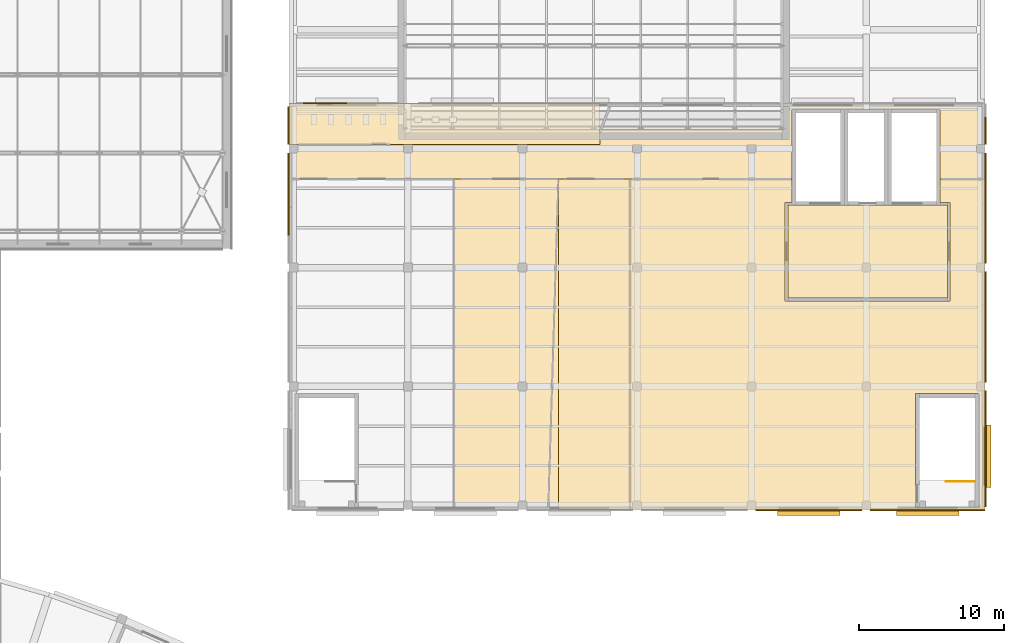
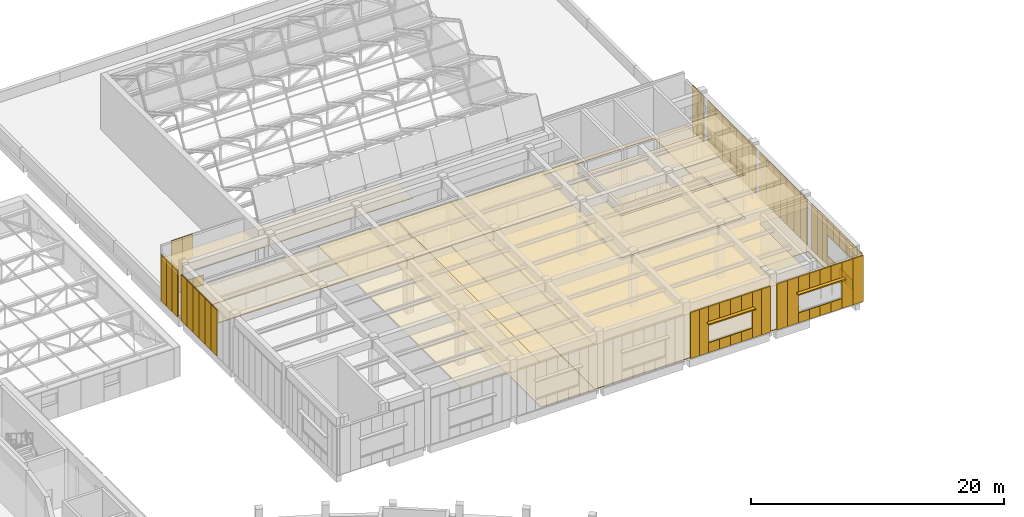
# One storey, part 129 of 132: 76 coverings, 3 shading devices, 1 railing.
"""IFC4 building model written with IfcOpenShell, lengths in metres."""

from ifc_helpers import new_model, si_unit, direction, frame, origin, origin_2d, place, context, subcontext, project, spatial, polyline, rectangle, circle, outline, extrude, material, layer, layer_set, type_object, element, save


model = new_model("IFC4")

# Units and contexts
model_context = context("Model", 3, precision=1e-05, world=origin(), true_north=direction((0.0, 1.0)))
body_context = subcontext(model_context, "Body", "Model", "MODEL_VIEW")
ifc_project = project(units=[si_unit("LENGTHUNIT", "METRE"), si_unit("AREAUNIT", "SQUARE_METRE"), si_unit("VOLUMEUNIT", "CUBIC_METRE"), si_unit("PLANEANGLEUNIT", "RADIAN"), si_unit("MASSUNIT", "GRAM", prefix="KILO")], contexts=[model_context])

# Site, building, storey
site_placement = place(None, origin())
site = spatial("IfcSite", under=ifc_project, at=site_placement, CompositionType="ELEMENT")
building_placement = place(site_placement, origin())
building = spatial("IfcBuilding", under=site, at=building_placement, Name="Lunette Opera House", CompositionType="ELEMENT")
storey_placement = place(building_placement, frame((0.0, 0.0, 17.0)))
storey = spatial("IfcBuildingStorey", under=building, at=storey_placement, Name="L03", CompositionType="ELEMENT", Elevation=17.0)

# Coverings
ifc_material_1 = material(Name="Dark grey aluminium cassette", Category="aluminium")
ifc_layer_1 = layer(ifc_material_1, 0.080078125)
ifc_layer_set_1 = layer_set([ifc_layer_1], Name="Dark grey aluminium cassette")
covering_type_1 = type_object("IfcCoveringType", Name="DARK METAL CASSETTE 80", PredefinedType="CLADDING", material=ifc_layer_set_1)
for number, where, z_axis, x_axis, name in (
    (1, (139.48388671875, 106.0400390625, 0.0), (0.0, 0.0, 1.0), (-1.0, 0.0, 0.0), "Dark Metal Cassette 80 WK L03"),
    (2, (138.48388671875, 106.0400390625, 0.0), (0.0, 0.0, 1.0), (-1.0, 0.0, 0.0), "Dark Metal Cassette 80 WK L03"),
):
    element("IfcCovering", number, at=place(storey_placement, frame(where, z_axis=z_axis, x_axis=x_axis)), inside=storey, type_object=covering_type_1, Name=name, PredefinedType="CLADDING", context=body_context, shape_type="SweptSolid", body=[
        extrude(rectangle(XDim=1.0, YDim=0.080078125, at=origin_2d()), origin(), (0.0, 0.0, 1.0), 0.949951171875),
    ])
covering_1_placement = place(storey_placement, frame((138.48388671875, 106.0400390625, 3.0), z_axis=(0.0, 0.0, 1.0), x_axis=(-1.0, 0.0, 0.0)))
element("IfcCovering", 3, at=covering_1_placement, inside=storey, type_object=covering_type_1, Name="Dark Metal Cassette 80 WK L03", PredefinedType="CLADDING", context=body_context, shape_type="SweptSolid", body=[
    extrude(rectangle(XDim=1.0, YDim=0.080078125, at=origin_2d()), origin(), (0.0, 0.0, 1.0), 2.25),
])
covering_2_placement = place(storey_placement, frame((137.488037109375, 106.0400390625, 0.0), z_axis=(0.0, 0.0, 1.0), x_axis=(-1.0, 0.0, 0.0)))
element("IfcCovering", 4, at=covering_2_placement, inside=storey, type_object=covering_type_1, Name="Dark Metal Cassette 80 WK L03", PredefinedType="CLADDING", context=body_context, shape_type="SweptSolid", body=[
    extrude(rectangle(XDim=0.991943359375, YDim=0.080078125, at=origin_2d()), origin(), (0.0, 0.0, 1.0), 5.25),
])
for number, where, z_axis, x_axis, name in (
    (5, (135.9599609375, 105.366943359375, 0.0), (0.0, 0.0, 1.0), (0.0, -1.0, 0.0), "Dark Metal Cassette 80 WK L03"),
    (6, (135.9599609375, 104.5, 0.0), (0.0, 0.0, 1.0), (0.0, -1.0, 0.0), "Dark Metal Cassette 80 WK L03"),
    (7, (135.9599609375, 103.633056640625, 0.0), (0.0, 0.0, 1.0), (0.0, -1.0, 0.0), "Dark Metal Cassette 80 WK L03"),
):
    element("IfcCovering", number, at=place(storey_placement, frame(where, z_axis=z_axis, x_axis=x_axis)), inside=storey, type_object=covering_type_1, Name=name, PredefinedType="CLADDING", context=body_context, shape_type="SweptSolid", body=[
        extrude(rectangle(XDim=0.866943359375, YDim=0.080078125, at=origin_2d()), origin(), (0.0, 0.0, 1.0), 4.449951171875),
    ])
for number, where, z_axis, x_axis, name in (
    (8, (135.9599609375, 102.131103515625, 0.0), (0.0, 0.0, 1.0), (0.0, -1.0, 0.0), "Dark Metal Cassette 80 WK L03"),
    (9, (135.9599609375, 101.194091796875, 0.0), (0.0, 0.0, 1.0), (0.0, -1.0, 0.0), "Dark Metal Cassette 80 WK L03"),
    (10, (135.9599609375, 100.256103515625, 0.0), (0.0, 0.0, 1.0), (0.0, -1.0, 0.0), "Dark Metal Cassette 80 WK L03"),
    (11, (135.9599609375, 99.319091796875, 0.0), (0.0, 0.0, 1.0), (0.0, -1.0, 0.0), "Dark Metal Cassette 80 WK L03"),
):
    element("IfcCovering", number, at=place(storey_placement, frame(where, z_axis=z_axis, x_axis=x_axis)), inside=storey, type_object=covering_type_1, Name=name, PredefinedType="CLADDING", context=body_context, shape_type="SweptSolid", body=[
        extrude(rectangle(XDim=0.93798828125, YDim=0.080078125, at=origin_2d()), origin(), (0.0, 0.0, 1.0), 4.449951171875),
    ])
for number, where, z_axis, x_axis, name in (
    (12, (135.9599609375, 98.368896484375, 0.0), (0.0, 0.0, 1.0), (0.0, -1.0, 0.0), "Dark Metal Cassette 80 WK L03"),
    (13, (135.9599609375, 97.406005859375, 0.0), (0.0, 0.0, 1.0), (0.0, -1.0, 0.0), "Dark Metal Cassette 80 WK L03"),
):
    element("IfcCovering", number, at=place(storey_placement, frame(where, z_axis=z_axis, x_axis=x_axis)), inside=storey, type_object=covering_type_1, Name=name, PredefinedType="CLADDING", context=body_context, shape_type="SweptSolid", body=[
        extrude(rectangle(XDim=0.9619140625, YDim=0.080078125, at=origin_2d()), origin(), (0.0, 0.0, 1.0), 4.449951171875),
    ])
for number, where, z_axis, x_axis, name in (
    (14, (168.612060546875, 77.9599609375, 0.0), (0.0, 0.0, 1.0), (1.0, 0.0, 0.0), "Dark Metal Cassette 80 WK L03"),
    (15, (169.43798828125, 77.9599609375, 0.0), (0.0, 0.0, 1.0), (1.0, 0.0, 0.0), "Dark Metal Cassette 80 WK L03"),
):
    element("IfcCovering", number, at=place(storey_placement, frame(where, z_axis=z_axis, x_axis=x_axis)), inside=storey, type_object=covering_type_1, Name=name, PredefinedType="CLADDING", context=body_context, shape_type="SweptSolid", body=[
        extrude(rectangle(XDim=0.824951171875, YDim=0.080078125, at=origin_2d()), origin(), (0.0, 0.0, 1.0), 4.449951171875),
    ])
covering_3_placement = place(storey_placement, frame((170.35009765625, 77.9599609375, 0.0), z_axis=(0.0, 0.0, 1.0), x_axis=(1.0, 0.0, 0.0)))
element("IfcCovering", 16, at=covering_3_placement, inside=storey, type_object=covering_type_1, Name="Dark Metal Cassette 80 WK L03", PredefinedType="CLADDING", context=body_context, shape_type="SweptSolid", body=[
    extrude(rectangle(XDim=1.0, YDim=0.080078125, at=origin_2d()), origin(), (0.0, 0.0, 1.0), 0.949951171875),
])
covering_4_placement = place(storey_placement, frame((170.35009765625, 77.9599609375, 3.0), z_axis=(0.0, 0.0, 1.0), x_axis=(1.0, 0.0, 0.0)))
element("IfcCovering", 17, at=covering_4_placement, inside=storey, type_object=covering_type_1, Name="Dark Metal Cassette 80 WK L03", PredefinedType="CLADDING", context=body_context, shape_type="SweptSolid", body=[
    extrude(rectangle(XDim=1.0, YDim=0.080078125, at=origin_2d()), origin(), (0.0, 0.0, 1.0), 1.449951171875),
])
covering_5_placement = place(storey_placement, frame((171.35009765625, 77.9599609375, 0.0), z_axis=(0.0, 0.0, 1.0), x_axis=(1.0, 0.0, 0.0)))
element("IfcCovering", 18, at=covering_5_placement, inside=storey, type_object=covering_type_1, Name="Dark Metal Cassette 80 WK L03", PredefinedType="CLADDING", context=body_context, shape_type="SweptSolid", body=[
    extrude(rectangle(XDim=1.0, YDim=0.080078125, at=origin_2d()), origin(), (0.0, 0.0, 1.0), 0.949951171875),
])
covering_6_placement = place(storey_placement, frame((171.35009765625, 77.9599609375, 3.0), z_axis=(0.0, 0.0, 1.0), x_axis=(1.0, 0.0, 0.0)))
element("IfcCovering", 19, at=covering_6_placement, inside=storey, type_object=covering_type_1, Name="Dark Metal Cassette 80 WK L03", PredefinedType="CLADDING", context=body_context, shape_type="SweptSolid", body=[
    extrude(rectangle(XDim=1.0, YDim=0.080078125, at=origin_2d()), origin(), (0.0, 0.0, 1.0), 1.449951171875),
])
covering_7_placement = place(storey_placement, frame((172.35009765625, 77.9599609375, 0.0), z_axis=(0.0, 0.0, 1.0), x_axis=(1.0, 0.0, 0.0)))
element("IfcCovering", 20, at=covering_7_placement, inside=storey, type_object=covering_type_1, Name="Dark Metal Cassette 80 WK L03", PredefinedType="CLADDING", context=body_context, shape_type="SweptSolid", body=[
    extrude(rectangle(XDim=1.0, YDim=0.080078125, at=origin_2d()), origin(), (0.0, 0.0, 1.0), 0.949951171875),
])
covering_8_placement = place(storey_placement, frame((172.35009765625, 77.9599609375, 3.0), z_axis=(0.0, 0.0, 1.0), x_axis=(1.0, 0.0, 0.0)))
element("IfcCovering", 21, at=covering_8_placement, inside=storey, type_object=covering_type_1, Name="Dark Metal Cassette 80 WK L03", PredefinedType="CLADDING", context=body_context, shape_type="SweptSolid", body=[
    extrude(rectangle(XDim=1.0, YDim=0.080078125, at=origin_2d()), origin(), (0.0, 0.0, 1.0), 1.449951171875),
])
covering_9_placement = place(storey_placement, frame((173.35009765625, 77.9599609375, 0.0), z_axis=(0.0, 0.0, 1.0), x_axis=(1.0, 0.0, 0.0)))
element("IfcCovering", 22, at=covering_9_placement, inside=storey, type_object=covering_type_1, Name="Dark Metal Cassette 80 WK L03", PredefinedType="CLADDING", context=body_context, shape_type="SweptSolid", body=[
    extrude(rectangle(XDim=1.0, YDim=0.080078125, at=origin_2d()), origin(), (0.0, 0.0, 1.0), 0.949951171875),
])
covering_10_placement = place(storey_placement, frame((173.35009765625, 77.9599609375, 3.0), z_axis=(0.0, 0.0, 1.0), x_axis=(1.0, 0.0, 0.0)))
element("IfcCovering", 23, at=covering_10_placement, inside=storey, type_object=covering_type_1, Name="Dark Metal Cassette 80 WK L03", PredefinedType="CLADDING", context=body_context, shape_type="SweptSolid", body=[
    extrude(rectangle(XDim=1.0, YDim=0.080078125, at=origin_2d()), origin(), (0.0, 0.0, 1.0), 1.449951171875),
])
for number, where, z_axis, x_axis, name in (
    (24, (174.261962890625, 77.9599609375, 0.0), (0.0, 0.0, 1.0), (1.0, 0.0, 0.0), "Dark Metal Cassette 80 WK L03"),
    (25, (175.087890625, 77.9599609375, 0.0), (0.0, 0.0, 1.0), (1.0, 0.0, 0.0), "Dark Metal Cassette 80 WK L03"),
):
    element("IfcCovering", number, at=place(storey_placement, frame(where, z_axis=z_axis, x_axis=x_axis)), inside=storey, type_object=covering_type_1, Name=name, PredefinedType="CLADDING", context=body_context, shape_type="SweptSolid", body=[
        extrude(rectangle(XDim=0.824951171875, YDim=0.080078125, at=origin_2d()), origin(), (0.0, 0.0, 1.0), 4.449951171875),
    ])
for number, where, z_axis, x_axis, name in (
    (26, (176.587890625, 77.9599609375, 0.0), (0.0, 0.0, 1.0), (1.0, 0.0, 0.0), "Dark Metal Cassette 80 WK L03"),
    (27, (177.56201171875, 77.9599609375, 0.0), (0.0, 0.0, 1.0), (1.0, 0.0, 0.0), "Dark Metal Cassette 80 WK L03"),
):
    element("IfcCovering", number, at=place(storey_placement, frame(where, z_axis=z_axis, x_axis=x_axis)), inside=storey, type_object=covering_type_1, Name=name, PredefinedType="CLADDING", context=body_context, shape_type="SweptSolid", body=[
        extrude(rectangle(XDim=0.97509765625, YDim=0.080078125, at=origin_2d()), origin(), (0.0, 0.0, 1.0), 4.449951171875),
    ])
covering_11_placement = place(storey_placement, frame((178.550048828125, 77.9599609375, 0.0), z_axis=(0.0, 0.0, 1.0), x_axis=(1.0, 0.0, 0.0)))
element("IfcCovering", 28, at=covering_11_placement, inside=storey, type_object=covering_type_1, Name="Dark Metal Cassette 80 WK L03", PredefinedType="CLADDING", context=body_context, shape_type="SweptSolid", body=[
    extrude(rectangle(XDim=1.0, YDim=0.080078125, at=origin_2d()), origin(), (0.0, 0.0, 1.0), 0.949951171875),
])
covering_12_placement = place(storey_placement, frame((178.550048828125, 77.9599609375, 3.0), z_axis=(0.0, 0.0, 1.0), x_axis=(1.0, 0.0, 0.0)))
element("IfcCovering", 29, at=covering_12_placement, inside=storey, type_object=covering_type_1, Name="Dark Metal Cassette 80 WK L03", PredefinedType="CLADDING", context=body_context, shape_type="SweptSolid", body=[
    extrude(rectangle(XDim=1.0, YDim=0.080078125, at=origin_2d()), origin(), (0.0, 0.0, 1.0), 1.449951171875),
])
covering_13_placement = place(storey_placement, frame((179.550048828125, 77.9599609375, 0.0), z_axis=(0.0, 0.0, 1.0), x_axis=(1.0, 0.0, 0.0)))
element("IfcCovering", 30, at=covering_13_placement, inside=storey, type_object=covering_type_1, Name="Dark Metal Cassette 80 WK L03", PredefinedType="CLADDING", context=body_context, shape_type="SweptSolid", body=[
    extrude(rectangle(XDim=1.0, YDim=0.080078125, at=origin_2d()), origin(), (0.0, 0.0, 1.0), 0.949951171875),
])
covering_14_placement = place(storey_placement, frame((179.550048828125, 77.9599609375, 3.0), z_axis=(0.0, 0.0, 1.0), x_axis=(1.0, 0.0, 0.0)))
element("IfcCovering", 31, at=covering_14_placement, inside=storey, type_object=covering_type_1, Name="Dark Metal Cassette 80 WK L03", PredefinedType="CLADDING", context=body_context, shape_type="SweptSolid", body=[
    extrude(rectangle(XDim=1.0, YDim=0.080078125, at=origin_2d()), origin(), (0.0, 0.0, 1.0), 1.449951171875),
])
covering_15_placement = place(storey_placement, frame((180.550048828125, 77.9599609375, 0.0), z_axis=(0.0, 0.0, 1.0), x_axis=(1.0, 0.0, 0.0)))
element("IfcCovering", 32, at=covering_15_placement, inside=storey, type_object=covering_type_1, Name="Dark Metal Cassette 80 WK L03", PredefinedType="CLADDING", context=body_context, shape_type="SweptSolid", body=[
    extrude(rectangle(XDim=1.0, YDim=0.080078125, at=origin_2d()), origin(), (0.0, 0.0, 1.0), 0.949951171875),
])
covering_16_placement = place(storey_placement, frame((180.550048828125, 77.9599609375, 3.0), z_axis=(0.0, 0.0, 1.0), x_axis=(1.0, 0.0, 0.0)))
element("IfcCovering", 33, at=covering_16_placement, inside=storey, type_object=covering_type_1, Name="Dark Metal Cassette 80 WK L03", PredefinedType="CLADDING", context=body_context, shape_type="SweptSolid", body=[
    extrude(rectangle(XDim=1.0, YDim=0.080078125, at=origin_2d()), origin(), (0.0, 0.0, 1.0), 1.449951171875),
])
covering_17_placement = place(storey_placement, frame((181.550048828125, 77.9599609375, 0.0), z_axis=(0.0, 0.0, 1.0), x_axis=(1.0, 0.0, 0.0)))
element("IfcCovering", 34, at=covering_17_placement, inside=storey, type_object=covering_type_1, Name="Dark Metal Cassette 80 WK L03", PredefinedType="CLADDING", context=body_context, shape_type="SweptSolid", body=[
    extrude(rectangle(XDim=1.0, YDim=0.080078125, at=origin_2d()), origin(), (0.0, 0.0, 1.0), 0.949951171875),
])
covering_18_placement = place(storey_placement, frame((181.550048828125, 77.9599609375, 3.0), z_axis=(0.0, 0.0, 1.0), x_axis=(1.0, 0.0, 0.0)))
element("IfcCovering", 35, at=covering_18_placement, inside=storey, type_object=covering_type_1, Name="Dark Metal Cassette 80 WK L03", PredefinedType="CLADDING", context=body_context, shape_type="SweptSolid", body=[
    extrude(rectangle(XDim=1.0, YDim=0.080078125, at=origin_2d()), origin(), (0.0, 0.0, 1.0), 1.449951171875),
])
for number, where, z_axis, x_axis, name in (
    (36, (182.537109375, 77.9599609375, 0.0), (0.0, 0.0, 1.0), (1.0, 0.0, 0.0), "Dark Metal Cassette 80 WK L03"),
    (37, (183.511962890625, 77.9599609375, 0.0), (0.0, 0.0, 1.0), (1.0, 0.0, 0.0), "Dark Metal Cassette 80 WK L03"),
):
    element("IfcCovering", number, at=place(storey_placement, frame(where, z_axis=z_axis, x_axis=x_axis)), inside=storey, type_object=covering_type_1, Name=name, PredefinedType="CLADDING", context=body_context, shape_type="SweptSolid", body=[
        extrude(rectangle(XDim=0.97509765625, YDim=0.080078125, at=origin_2d()), origin(), (0.0, 0.0, 1.0), 4.449951171875),
    ])
for number, where, z_axis, x_axis, name in (
    (38, (184.0400390625, 78.569091796875, 0.0), (0.0, 0.0, 1.0), (0.0, 1.0, 0.0), "Dark Metal Cassette 80 WK L03"),
    (39, (184.0400390625, 79.305908203125, 0.0), (0.0, 0.0, 1.0), (0.0, 1.0, 0.0), "Dark Metal Cassette 80 WK L03"),
):
    element("IfcCovering", number, at=place(storey_placement, frame(where, z_axis=z_axis, x_axis=x_axis)), inside=storey, type_object=covering_type_1, Name=name, PredefinedType="CLADDING", context=body_context, shape_type="SweptSolid", body=[
        extrude(rectangle(XDim=0.738037109375, YDim=0.080078125, at=origin_2d()), origin(), (0.0, 0.0, 1.0), 4.449951171875),
    ])
covering_19_placement = place(storey_placement, frame((184.0400390625, 80.175048828125, 0.0), z_axis=(0.0, 0.0, 1.0), x_axis=(0.0, 1.0, 0.0)))
element("IfcCovering", 40, at=covering_19_placement, inside=storey, type_object=covering_type_1, Name="Dark Metal Cassette 80 WK L03", PredefinedType="CLADDING", context=body_context, shape_type="SweptSolid", body=[
    extrude(rectangle(XDim=1.0, YDim=0.080078125, at=origin_2d()), origin(), (0.0, 0.0, 1.0), 0.949951171875),
])
covering_20_placement = place(storey_placement, frame((184.0400390625, 80.175048828125, 3.0), z_axis=(0.0, 0.0, 1.0), x_axis=(0.0, 1.0, 0.0)))
element("IfcCovering", 41, at=covering_20_placement, inside=storey, type_object=covering_type_1, Name="Dark Metal Cassette 80 WK L03", PredefinedType="CLADDING", context=body_context, shape_type="SweptSolid", body=[
    extrude(rectangle(XDim=1.0, YDim=0.080078125, at=origin_2d()), origin(), (0.0, 0.0, 1.0), 1.449951171875),
])
covering_21_placement = place(storey_placement, frame((184.0400390625, 81.175048828125, 0.0), z_axis=(0.0, 0.0, 1.0), x_axis=(0.0, 1.0, 0.0)))
element("IfcCovering", 42, at=covering_21_placement, inside=storey, type_object=covering_type_1, Name="Dark Metal Cassette 80 WK L03", PredefinedType="CLADDING", context=body_context, shape_type="SweptSolid", body=[
    extrude(rectangle(XDim=1.0, YDim=0.080078125, at=origin_2d()), origin(), (0.0, 0.0, 1.0), 0.949951171875),
])
covering_22_placement = place(storey_placement, frame((184.0400390625, 81.175048828125, 3.0), z_axis=(0.0, 0.0, 1.0), x_axis=(0.0, 1.0, 0.0)))
element("IfcCovering", 43, at=covering_22_placement, inside=storey, type_object=covering_type_1, Name="Dark Metal Cassette 80 WK L03", PredefinedType="CLADDING", context=body_context, shape_type="SweptSolid", body=[
    extrude(rectangle(XDim=1.0, YDim=0.080078125, at=origin_2d()), origin(), (0.0, 0.0, 1.0), 1.449951171875),
])
covering_23_placement = place(storey_placement, frame((184.0400390625, 82.175048828125, 0.0), z_axis=(0.0, 0.0, 1.0), x_axis=(0.0, 1.0, 0.0)))
element("IfcCovering", 44, at=covering_23_placement, inside=storey, type_object=covering_type_1, Name="Dark Metal Cassette 80 WK L03", PredefinedType="CLADDING", context=body_context, shape_type="SweptSolid", body=[
    extrude(rectangle(XDim=1.0, YDim=0.080078125, at=origin_2d()), origin(), (0.0, 0.0, 1.0), 0.949951171875),
])
covering_24_placement = place(storey_placement, frame((184.0400390625, 82.175048828125, 3.0), z_axis=(0.0, 0.0, 1.0), x_axis=(0.0, 1.0, 0.0)))
element("IfcCovering", 45, at=covering_24_placement, inside=storey, type_object=covering_type_1, Name="Dark Metal Cassette 80 WK L03", PredefinedType="CLADDING", context=body_context, shape_type="SweptSolid", body=[
    extrude(rectangle(XDim=1.0, YDim=0.080078125, at=origin_2d()), origin(), (0.0, 0.0, 1.0), 1.449951171875),
])
covering_25_placement = place(storey_placement, frame((184.0400390625, 83.175048828125, 0.0), z_axis=(0.0, 0.0, 1.0), x_axis=(0.0, 1.0, 0.0)))
element("IfcCovering", 46, at=covering_25_placement, inside=storey, type_object=covering_type_1, Name="Dark Metal Cassette 80 WK L03", PredefinedType="CLADDING", context=body_context, shape_type="SweptSolid", body=[
    extrude(rectangle(XDim=1.0, YDim=0.080078125, at=origin_2d()), origin(), (0.0, 0.0, 1.0), 0.949951171875),
])
covering_26_placement = place(storey_placement, frame((184.0400390625, 83.175048828125, 3.0), z_axis=(0.0, 0.0, 1.0), x_axis=(0.0, 1.0, 0.0)))
element("IfcCovering", 47, at=covering_26_placement, inside=storey, type_object=covering_type_1, Name="Dark Metal Cassette 80 WK L03", PredefinedType="CLADDING", context=body_context, shape_type="SweptSolid", body=[
    extrude(rectangle(XDim=1.0, YDim=0.080078125, at=origin_2d()), origin(), (0.0, 0.0, 1.0), 1.449951171875),
])
for number, where, z_axis, x_axis, name in (
    (48, (184.0400390625, 84.0439453125, 0.0), (0.0, 0.0, 1.0), (0.0, 1.0, 0.0), "Dark Metal Cassette 80 WK L03"),
    (49, (184.0400390625, 84.781005859375, 0.0), (0.0, 0.0, 1.0), (0.0, 1.0, 0.0), "Dark Metal Cassette 80 WK L03"),
):
    element("IfcCovering", number, at=place(storey_placement, frame(where, z_axis=z_axis, x_axis=x_axis)), inside=storey, type_object=covering_type_1, Name=name, PredefinedType="CLADDING", context=body_context, shape_type="SweptSolid", body=[
        extrude(rectangle(XDim=0.738037109375, YDim=0.080078125, at=origin_2d()), origin(), (0.0, 0.0, 1.0), 4.449951171875),
    ])
covering_27_placement = place(storey_placement, frame((184.0400390625, 85.675048828125, 0.0), z_axis=(0.0, 0.0, 1.0), x_axis=(0.0, 1.0, 0.0)))
element("IfcCovering", 50, at=covering_27_placement, inside=storey, type_object=covering_type_1, Name="Dark Metal Cassette 80 WK L03", PredefinedType="CLADDING", context=body_context, shape_type="SweptSolid", body=[
    extrude(rectangle(XDim=1.050048828125, YDim=0.080078125, at=origin_2d()), origin(), (0.0, 0.0, 1.0), 4.449951171875),
])
for number, where, z_axis, x_axis, name in (
    (51, (184.0400390625, 87.330078125, 0.0), (0.0, 0.0, 1.0), (0.0, 1.0, 0.0), "Dark Metal Cassette 80 WK L03"),
    (52, (184.0400390625, 88.389892578125, 0.0), (0.0, 0.0, 1.0), (0.0, 1.0, 0.0), "Dark Metal Cassette 80 WK L03"),
    (53, (184.0400390625, 89.449951171875, 0.0), (0.0, 0.0, 1.0), (0.0, 1.0, 0.0), "Dark Metal Cassette 80 WK L03"),
    (54, (184.0400390625, 90.510009765625, 0.0), (0.0, 0.0, 1.0), (0.0, 1.0, 0.0), "Dark Metal Cassette 80 WK L03"),
    (55, (184.0400390625, 91.570068359375, 0.0), (0.0, 0.0, 1.0), (0.0, 1.0, 0.0), "Dark Metal Cassette 80 WK L03"),
):
    element("IfcCovering", number, at=place(storey_placement, frame(where, z_axis=z_axis, x_axis=x_axis)), inside=storey, type_object=covering_type_1, Name=name, PredefinedType="CLADDING", context=body_context, shape_type="SweptSolid", body=[
        extrude(rectangle(XDim=1.06005859375, YDim=0.080078125, at=origin_2d()), origin(), (0.0, 0.0, 1.0), 4.449951171875),
    ])
for number, where, z_axis, x_axis, name in (
    (56, (184.0400390625, 92.675048828125, 0.0), (0.0, 0.0, 1.0), (0.0, 1.0, 0.0), "Dark Metal Cassette 80 WK L03"),
    (57, (184.0400390625, 93.824951171875, 0.0), (0.0, 0.0, 1.0), (0.0, 1.0, 0.0), "Dark Metal Cassette 80 WK L03"),
):
    element("IfcCovering", number, at=place(storey_placement, frame(where, z_axis=z_axis, x_axis=x_axis)), inside=storey, type_object=covering_type_1, Name=name, PredefinedType="CLADDING", context=body_context, shape_type="SweptSolid", body=[
        extrude(rectangle(XDim=1.14990234375, YDim=0.080078125, at=origin_2d()), origin(), (0.0, 0.0, 1.0), 4.449951171875),
    ])
for number, where, z_axis, x_axis, name in (
    (58, (184.0400390625, 95.506103515625, 0.0), (0.0, 0.0, 1.0), (0.0, 1.0, 0.0), "Dark Metal Cassette 80 WK L03"),
    (59, (184.0400390625, 96.51904296875, 0.0), (0.0, 0.0, 1.0), (0.0, 1.0, 0.0), "Dark Metal Cassette 80 WK L03"),
    (60, (184.0400390625, 97.531005859375, 0.0), (0.0, 0.0, 1.0), (0.0, 1.0, 0.0), "Dark Metal Cassette 80 WK L03"),
    (61, (184.0400390625, 98.5439453125, 0.0), (0.0, 0.0, 1.0), (0.0, 1.0, 0.0), "Dark Metal Cassette 80 WK L03"),
):
    element("IfcCovering", number, at=place(storey_placement, frame(where, z_axis=z_axis, x_axis=x_axis)), inside=storey, type_object=covering_type_1, Name=name, PredefinedType="CLADDING", context=body_context, shape_type="SweptSolid", body=[
        extrude(rectangle(XDim=1.011962890625, YDim=0.080078125, at=origin_2d()), origin(), (0.0, 0.0, 1.0), 4.449951171875),
    ])
for number, where, z_axis, x_axis, name in (
    (62, (184.0400390625, 99.64208984375, 0.0), (0.0, 0.0, 1.0), (0.0, 1.0, 0.0), "Dark Metal Cassette 80 WK L03"),
    (63, (184.0400390625, 100.824951171875, 0.0), (0.0, 0.0, 1.0), (0.0, 1.0, 0.0), "Dark Metal Cassette 80 WK L03"),
    (64, (184.0400390625, 102.008056640625, 0.0), (0.0, 0.0, 1.0), (0.0, 1.0, 0.0), "Dark Metal Cassette 80 WK L03"),
):
    element("IfcCovering", number, at=place(storey_placement, frame(where, z_axis=z_axis, x_axis=x_axis)), inside=storey, type_object=covering_type_1, Name=name, PredefinedType="CLADDING", context=body_context, shape_type="SweptSolid", body=[
        extrude(rectangle(XDim=1.18310546875, YDim=0.080078125, at=origin_2d()), origin(), (0.0, 0.0, 1.0), 4.449951171875),
    ])
for number, where, z_axis, x_axis, name in (
    (65, (184.0400390625, 103.6669921875, 0.0), (0.0, 0.0, 1.0), (0.0, 1.0, 0.0), "Dark Metal Cassette 80 WK L03"),
    (66, (184.0400390625, 104.60009765625, 0.0), (0.0, 0.0, 1.0), (0.0, 1.0, 0.0), "Dark Metal Cassette 80 WK L03"),
):
    element("IfcCovering", number, at=place(storey_placement, frame(where, z_axis=z_axis, x_axis=x_axis)), inside=storey, type_object=covering_type_1, Name=name, PredefinedType="CLADDING", context=body_context, shape_type="SweptSolid", body=[
        extrude(rectangle(XDim=0.93310546875, YDim=0.080078125, at=origin_2d()), origin(), (0.0, 0.0, 1.0), 4.449951171875),
    ])
ifc_material_2 = material(Name="Cement screed")
ifc_layer_2 = layer(ifc_material_2, 0.070068359375)
ifc_layer_set_2 = layer_set([ifc_layer_2], Name="Cement screed")
covering_type_2 = type_object("IfcCoveringType", Name="SCREED FLOOR FINISH 70", PredefinedType="FLOORING", material=ifc_layer_set_2)
covering_28_placement = place(storey_placement, origin())
element("IfcCovering", 67, at=covering_28_placement, inside=storey, type_object=covering_type_2, Name="Floor finish Scenery Store Upper", PredefinedType="FLOORING", context=body_context, shape_type="SweptSolid", body=[
    extrude(outline(polyline([(170.199951171875, 99.199951171875), (170.199951171875, 92.39990234375), (181.60009765625, 92.39990234375), (181.60009765625, 99.199951171875), (180.89990234375, 99.199951171875), (180.89990234375, 100.800048828125), (184.0, 100.800048828125), (184.0, 78.0), (159.514892578125, 78.0), (159.514892578125, 100.800048828125), (170.699951171875, 100.800048828125), (170.699951171875, 99.199951171875), (170.199951171875, 99.199951171875)]), holes=[polyline([(183.60009765625, 86.0), (179.199951171875, 86.0), (179.199951171875, 78.199951171875), (183.60009765625, 78.199951171875), (183.60009765625, 86.0)])]), origin(), (0.0, 0.0, 1.0), 0.070068359375),
])
covering_29_placement = place(storey_placement, origin())
element("IfcCovering", 68, at=covering_29_placement, inside=storey, type_object=covering_type_2, Name="Floor finish Corridor L03 Workshop", PredefinedType="FLOORING", context=body_context, shape_type="SweptSolid", body=[
    extrude(outline(polyline([(157.428955078125, 106.0), (184.0, 106.0), (184.0, 103.199951171875), (184.0, 100.800048828125), (180.89990234375, 100.800048828125), (180.89990234375, 103.199951171875), (180.89990234375, 105.60009765625), (177.300048828125, 105.60009765625), (174.300048828125, 105.60009765625), (170.699951171875, 105.60009765625), (170.699951171875, 103.199951171875), (170.699951171875, 100.800048828125), (136.0, 100.800048828125), (136.0, 103.199951171875), (157.428955078125, 103.199951171875), (157.428955078125, 106.0)])), origin(), (0.0, 0.0, 1.0), 0.070068359375),
])

# Railing
ifc_material_3 = material(Name="Steel S355", Category="steel")
railing_type = type_object("IfcRailingType", Name="STAIR GUARD 1100", PredefinedType="GUARDRAIL", material=ifc_material_3)
railing_placement = place(storey_placement, frame((183.300048828125, 79.949951171875, 0.0)))
element("IfcRailing", 69, at=railing_placement, inside=storey, type_object=railing_type, Name="L03 ST20 top well guard 1", PredefinedType="GUARDRAIL", context=body_context, shape_type="SweptSolid", body=[
    extrude(circle(Radius=0.02392578125, at=origin_2d()), frame((0.0, 0.0, 1.076171875), z_axis=(-1.0, 0.0, 0.0), x_axis=(0.0, -1.0, 0.0)), (0.0, 0.0, 1.0), 2.0),
    extrude(circle(Radius=0.02099609375, at=origin_2d()), origin(), (0.0, 0.0, 1.0), 1.052001953125),
    extrude(circle(Radius=0.02099609375, at=origin_2d()), frame((-1.0, 0.0, 0.0)), (0.0, 0.0, 1.0), 1.052001953125),
    extrude(circle(Radius=0.02099609375, at=origin_2d()), frame((-2.0, 0.0, 0.0)), (0.0, 0.0, 1.0), 1.052001953125),
])

# Coverings
ifc_material_4 = material(Name="Mineral fibre board")
ifc_layer_3 = layer(ifc_material_4, 0.014892578125)
ifc_layer_set_3 = layer_set([ifc_layer_3], Name="Mineral fibre board")
covering_type_3 = type_object("IfcCoveringType", Name="SUSPENDED ACOUSTIC CEILING 15", PredefinedType="CEILING", material=ifc_layer_set_3)
covering_30_placement = place(storey_placement, frame((0.0, 0.0, 4.284912109375)))
element("IfcCovering", 70, at=covering_30_placement, inside=storey, type_object=covering_type_3, Name="Ceiling Lift Lobby L03 Goods", PredefinedType="CEILING", context=body_context, shape_type="SweptSolid", body=[
    extrude(outline(polyline([(181.39990234375, 92.60009765625), (181.39990234375, 99.0), (170.39990234375, 99.0), (170.39990234375, 92.60009765625), (181.39990234375, 92.60009765625)])), origin(), (0.0, 0.0, 1.0), 0.01513671875),
])
covering_31_placement = place(storey_placement, frame((0.0, 0.0, 4.284912109375)))
element("IfcCovering", 71, at=covering_31_placement, inside=storey, type_object=covering_type_3, Name="Ceiling Pattern Cutting Studio", PredefinedType="CEILING", context=body_context, shape_type="SweptSolid", body=[
    extrude(outline(polyline([(147.386962890625, 78.0), (147.386962890625, 100.800048828125), (154.573974609375, 100.800048828125), (154.573974609375, 78.0), (147.386962890625, 78.0)])), origin(), (0.0, 0.0, 1.0), 0.01513671875),
])
covering_32_placement = place(storey_placement, frame((0.0, 0.0, 4.284912109375)))
element("IfcCovering", 72, at=covering_32_placement, inside=storey, type_object=covering_type_3, Name="Ceiling Workshop Meeting Rooms", PredefinedType="CEILING", context=body_context, shape_type="SweptSolid", body=[
    extrude(outline(polyline([(154.573974609375, 78.0), (154.573974609375, 100.800048828125), (159.514892578125, 100.800048828125), (159.514892578125, 78.0), (154.573974609375, 78.0)])), origin(), (0.0, 0.0, 1.0), 0.01513671875),
])
covering_33_placement = place(storey_placement, frame((0.0, 0.0, 4.284912109375)))
element("IfcCovering", 73, at=covering_33_placement, inside=storey, type_object=covering_type_3, Name="Ceiling Scenery Store Upper", PredefinedType="CEILING", context=body_context, shape_type="SweptSolid", body=[
    extrude(outline(polyline([(170.199951171875, 99.199951171875), (170.199951171875, 92.39990234375), (181.60009765625, 92.39990234375), (181.60009765625, 99.199951171875), (180.89990234375, 99.199951171875), (180.89990234375, 100.800048828125), (184.0, 100.800048828125), (184.0, 78.0), (159.514892578125, 78.0), (159.514892578125, 100.800048828125), (170.699951171875, 100.800048828125), (170.699951171875, 99.199951171875), (170.199951171875, 99.199951171875)]), holes=[polyline([(183.60009765625, 86.0), (179.199951171875, 86.0), (179.199951171875, 78.199951171875), (183.60009765625, 78.199951171875), (183.60009765625, 86.0)])]), origin(), (0.0, 0.0, 1.0), 0.01513671875),
])
covering_34_placement = place(storey_placement, frame((0.0, 0.0, 3.93505859375)))
element("IfcCovering", 74, at=covering_34_placement, inside=storey, type_object=covering_type_3, Name="Ceiling Workshop WC L03", PredefinedType="CEILING", context=body_context, shape_type="SweptSolid", body=[
    extrude(outline(polyline([(136.0, 103.199951171875), (136.0, 106.0), (157.428955078125, 106.0), (157.428955078125, 103.199951171875), (136.0, 103.199951171875)])), origin(), (0.0, 0.0, 1.0), 0.014892578125),
])
ifc_material_5 = material(Name="Terrazzo")
ifc_layer_4 = layer(ifc_material_5, 0.06005859375)
ifc_layer_set_4 = layer_set([ifc_layer_4], Name="Terrazzo")
covering_type_4 = type_object("IfcCoveringType", Name="TERRAZZO FLOOR FINISH 60", PredefinedType="FLOORING", material=ifc_layer_set_4)
covering_35_placement = place(storey_placement, origin())
element("IfcCovering", 75, at=covering_35_placement, inside=storey, type_object=covering_type_4, Name="Floor finish Lift Lobby L03 Goods", PredefinedType="FLOORING", context=body_context, shape_type="SweptSolid", body=[
    extrude(outline(polyline([(181.39990234375, 92.60009765625), (181.39990234375, 99.0), (170.39990234375, 99.0), (170.39990234375, 92.60009765625), (181.39990234375, 92.60009765625)])), origin(), (0.0, 0.0, 1.0), 0.06005859375),
])
ifc_material_6 = material(Name="Ceramic tile")
ifc_layer_5 = layer(ifc_material_6, 0.02490234375)
ifc_layer_set_5 = layer_set([ifc_layer_5], Name="Ceramic tile")
covering_type_5 = type_object("IfcCoveringType", Name="TILED FLOOR FINISH 25", PredefinedType="FLOORING", material=ifc_layer_set_5)
covering_36_placement = place(storey_placement, origin())
element("IfcCovering", 76, at=covering_36_placement, inside=storey, type_object=covering_type_5, Name="Floor finish Workshop WC L03", PredefinedType="FLOORING", context=body_context, shape_type="SweptSolid", body=[
    extrude(outline(polyline([(136.0, 103.199951171875), (136.0, 106.0), (157.428955078125, 106.0), (157.428955078125, 103.199951171875), (136.0, 103.199951171875)])), origin(), (0.0, 0.0, 1.0), 0.02490234375),
])
ifc_material_7 = material(Name="Timber", Category="wood")
ifc_layer_6 = layer(ifc_material_7, 0.0400390625)
ifc_layer_set_6 = layer_set([ifc_layer_6], Name="Timber")
covering_type_6 = type_object("IfcCoveringType", Name="TIMBER FLOOR FINISH 40", PredefinedType="FLOORING", material=ifc_layer_set_6)
covering_37_placement = place(storey_placement, origin())
element("IfcCovering", 77, at=covering_37_placement, inside=storey, type_object=covering_type_6, Name="Floor finish Workshop Meeting Rooms", PredefinedType="FLOORING", context=body_context, shape_type="SweptSolid", body=[
    extrude(outline(polyline([(154.573974609375, 78.0), (154.573974609375, 100.800048828125), (159.514892578125, 100.800048828125), (159.514892578125, 78.0), (154.573974609375, 78.0)])), origin(), (0.0, 0.0, 1.0), 0.0400390625),
])

# Shading devices
ifc_material_8 = material(Name="Powder-coated aluminium", Category="aluminium")
ifc_layer_7 = layer(ifc_material_8, 0.1201171875)
ifc_layer_set_7 = layer_set([ifc_layer_7], Name="Powder-coated aluminium")
shading_device_type = type_object("IfcShadingDeviceType", Name="WINDOW HOOD 400 X 4300", PredefinedType="USERDEFINED", material=ifc_layer_set_7)
for number, where, z_axis, x_axis, name in (
    (78, (171.85009765625, 77.800048828125, 2.8798828125), (0.0, 0.0, 1.0), (0.0, -1.0, 0.0), "Window hood WW-N2044"),
    (79, (180.050048828125, 77.800048828125, 2.8798828125), (0.0, 0.0, 1.0), (0.0, -1.0, 0.0), "Window hood WW-N2045"),
    (80, (184.199951171875, 81.675048828125, 2.8798828125), (0.0, 0.0, 1.0), (1.0, 0.0, 0.0), "Window hood WW-N2046"),
):
    element("IfcShadingDevice", number, at=place(storey_placement, frame(where, z_axis=z_axis, x_axis=x_axis)), inside=storey, type_object=shading_device_type, Name=name, ObjectType="WINDOW HOOD", PredefinedType="USERDEFINED", context=body_context, shape_type="SweptSolid", body=[
        extrude(rectangle(XDim=0.39990234375, YDim=4.300048828125, at=origin_2d()), origin(), (0.0, 0.0, 1.0), 0.1201171875),
    ])

save(model, "model.ifc")
